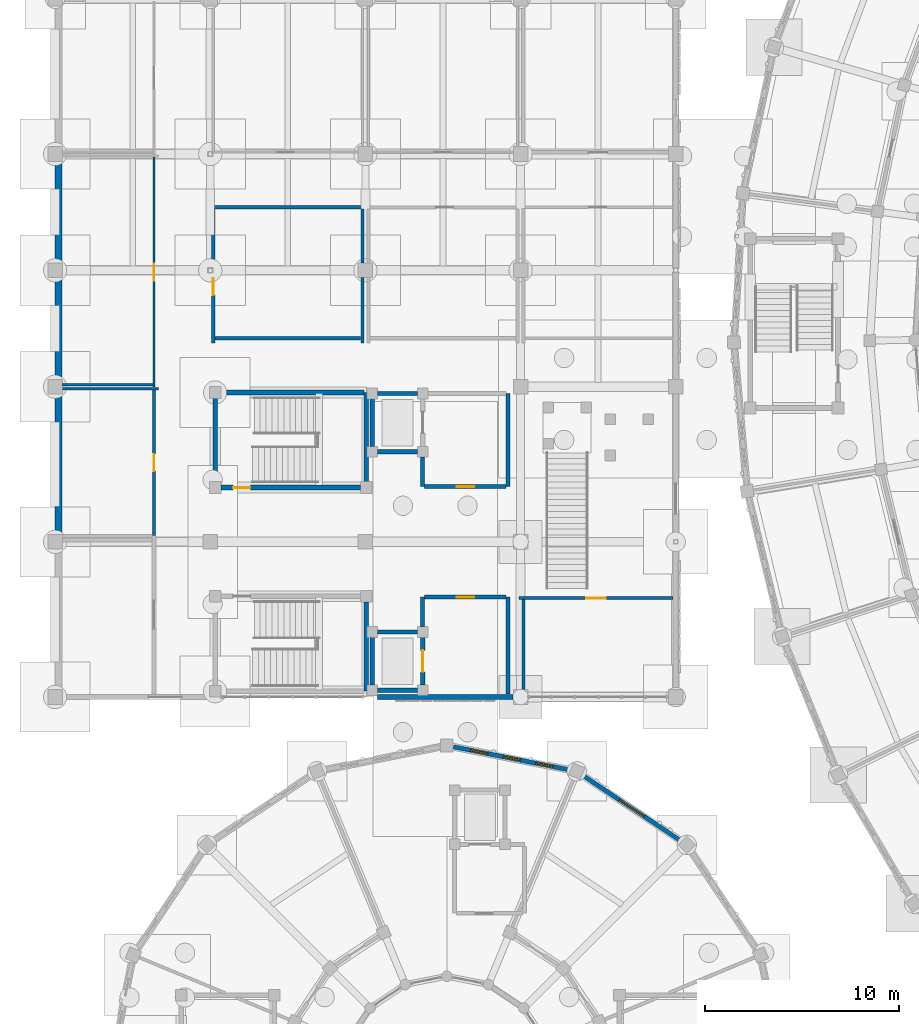
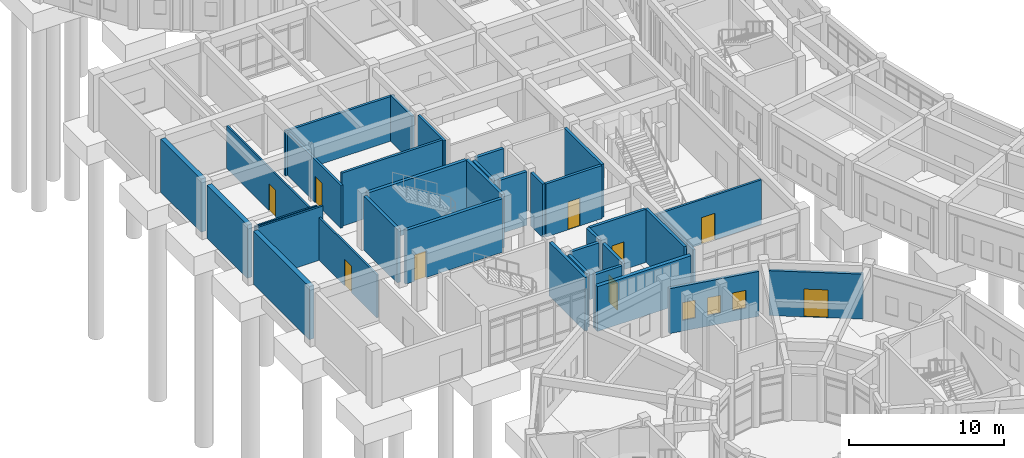
# One storey, part 119 of 153: 35 walls, 9 doors, 3 windows, 12 openings.
"""IFC4 building model written with IfcOpenShell, lengths in metres."""

from ifc_helpers import new_model, si_unit, direction, frame, frame_2d, origin, place, context, subcontext, project, spatial, rectangle, extrude, material, layer, layer_set, type_object, element, fill, save


model = new_model("IFC4")

# Units and contexts
model_context = context("Model", 3, precision=1e-05, world=origin(), true_north=direction((0.0, 1.0)))
body_context = subcontext(model_context, "Body", "Model", "MODEL_VIEW")
ifc_project = project(units=[si_unit("LENGTHUNIT", "METRE"), si_unit("AREAUNIT", "SQUARE_METRE"), si_unit("VOLUMEUNIT", "CUBIC_METRE"), si_unit("PLANEANGLEUNIT", "RADIAN"), si_unit("MASSUNIT", "GRAM", prefix="KILO")], contexts=[model_context])

# Site, building, storey
site_placement = place(None, origin())
site = spatial("IfcSite", under=ifc_project, at=site_placement, CompositionType="ELEMENT")
building_placement = place(site_placement, origin())
building = spatial("IfcBuilding", under=site, at=building_placement, Name="Celadon Cloister-Ring School", CompositionType="ELEMENT")
storey_placement = place(building_placement, origin())
storey = spatial("IfcBuildingStorey", under=building, at=storey_placement, Name="L00", CompositionType="ELEMENT", Elevation=0.0)

# Wall
ifc_material_1 = material(Name="Rendered concrete blockwork", Category="masonry")
ifc_layer_1 = layer(ifc_material_1, 0.280029296875)
ifc_layer_set_1 = layer_set([ifc_layer_1], Name="Rendered concrete blockwork")
wall_type_1 = type_object("IfcWallType", Name="WT-EX1", PredefinedType="SOLIDWALL", material=ifc_layer_set_1)
wall_1_placement = place(storey_placement, frame((23.623046875, 40.0, 0.0), z_axis=(0.0, 0.0, 1.0), x_axis=(-1.0, 0.0, 0.0)))
element("IfcWall", 1, at=wall_1_placement, inside=storey, type_object=wall_type_1, Name="Exterior Wall 0494", PredefinedType="SOLIDWALL", context=body_context, shape_type="SweptSolid", body=[
    extrude(rectangle(XDim=6.99609375, YDim=0.280029296875, at=frame_2d((3.498046875, 0.0))), origin(), (0.0, 0.0, 1.0), 3.550048828125),
])

# Wall, opening, door
ifc_material_2 = material(Name="Perforated terracotta clay brick masonry", Category="masonry")
ifc_layer_2 = layer(ifc_material_2, 0.219970703125)
ifc_layer_set_2 = layer_set([ifc_layer_2], Name="Perforated terracotta clay brick masonry")
wall_type_2 = type_object("IfcWallType", Name="WT-EX4", PredefinedType="SOLIDWALL", material=ifc_layer_set_2)
wall_2_placement = place(storey_placement, frame((27.19189453125, 35.970947265625, 0.0), z_axis=(0.0, 0.0, 1.0), x_axis=(0.831411331728, -0.555657446161, 0.0)))
wall_2 = element("IfcWall", 2, at=wall_2_placement, inside=storey, type_object=wall_type_2, Name="Exterior Wall 0293", PredefinedType="SOLIDWALL", context=body_context, shape_type="SweptSolid", body=[
    extrude(rectangle(XDim=6.11865234375, YDim=0.219970703125, at=frame_2d((3.059326171875, 0.0))), origin(), (0.0, 0.0, 1.0), 3.550048828125),
])
opening_1_placement = place(wall_2_placement, frame((2.283935546875, 0.0, 0.0)))
opening_1 = element("IfcOpeningElement", 3, at=opening_1_placement, cuts=wall_2, Name="Opening D-0013", PredefinedType="OPENING", context=body_context, shape_type="SweptSolid", body=[
    extrude(rectangle(XDim=1.550048828125, YDim=2.199951171875, at=frame_2d((0.77490234375, 1.10009765625))), frame((0.0, 0.1201171875, 0.0), z_axis=(0.0, -1.0, 0.0), x_axis=(1.0, 0.0, 0.0)), (0.0, 0.0, 1.0), 0.239990234375),
])
ifc_material_3 = material(Name="Aluminium EN AW-6063 T6", Category="aluminium")
door_type_1 = type_object("IfcDoorType", Name="DE-08", OperationType="NOTDEFINED", PredefinedType="DOOR", material=ifc_material_3)
door_1_placement = place(opening_1_placement, origin())
door_1 = element("IfcDoor", 4, at=door_1_placement, inside=storey, type_object=door_type_1, Name="Exterior Door D-0013", OperationType="SINGLE_SWING_LEFT", OverallHeight=2.199951171875, OverallWidth=1.550048828125, PredefinedType="DOOR", context=body_context, shape_type="SweptSolid", body=[
    extrude(rectangle(XDim=1.550048828125, YDim=2.199951171875, at=frame_2d((0.77490234375, 1.10009765625))), frame((0.0, 0.02490234375, 0.0), z_axis=(0.0, -1.0, 0.0), x_axis=(1.0, 0.0, 0.0)), (0.0, 0.0, 1.0), 0.050048828125),
])
fill(opening_1, door_1)

# Wall, openings, windows
wall_3_placement = place(storey_placement, frame((20.548095703125, 37.430908203125, 0.0), z_axis=(0.0, 0.0, 1.0), x_axis=(0.98077967596, -0.19511849534, 0.0)))
wall_3 = element("IfcWall", 5, at=wall_3_placement, inside=storey, type_object=wall_type_2, Name="Exterior Wall 0295", PredefinedType="SOLIDWALL", context=body_context, shape_type="SweptSolid", body=[
    extrude(rectangle(XDim=6.11865234375, YDim=0.219970703125, at=frame_2d((3.059326171875, 0.0))), origin(), (0.0, 0.0, 1.0), 3.550048828125),
])
opening_2_placement = place(wall_3_placement, frame((0.89599609375, 0.0, 0.85009765625)))
opening_2 = element("IfcOpeningElement", 6, at=opening_2_placement, cuts=wall_3, Name="Opening WN-21", PredefinedType="OPENING", context=body_context, shape_type="SweptSolid", body=[
    extrude(rectangle(XDim=0.89990234375, YDim=1.39990234375, at=frame_2d((0.449951171875, 0.699951171875))), frame((0.0, 0.1201171875, 0.0), z_axis=(0.0, -1.0, 0.0), x_axis=(1.0, 0.0, 0.0)), (0.0, 0.0, 1.0), 0.239990234375),
])
opening_3_placement = place(wall_3_placement, frame((2.60888671875, 0.0, 0.85009765625)))
opening_3 = element("IfcOpeningElement", 7, at=opening_3_placement, cuts=wall_3, Name="Opening WN-21", PredefinedType="OPENING", context=body_context, shape_type="SweptSolid", body=[
    extrude(rectangle(XDim=0.89990234375, YDim=1.39990234375, at=frame_2d((0.449951171875, 0.699951171875))), frame((0.0, 0.1201171875, 0.0), z_axis=(0.0, -1.0, 0.0), x_axis=(1.0, 0.0, 0.0)), (0.0, 0.0, 1.0), 0.239990234375),
])
opening_4_placement = place(wall_3_placement, frame((4.322998046875, 0.0, 0.85009765625)))
opening_4 = element("IfcOpeningElement", 8, at=opening_4_placement, cuts=wall_3, Name="Opening WN-21", PredefinedType="OPENING", context=body_context, shape_type="SweptSolid", body=[
    extrude(rectangle(XDim=0.89990234375, YDim=1.39990234375, at=frame_2d((0.449951171875, 0.699951171875))), frame((0.0, 0.1201171875, 0.0), z_axis=(0.0, -1.0, 0.0), x_axis=(1.0, 0.0, 0.0)), (0.0, 0.0, 1.0), 0.239990234375),
])
ifc_material_4 = material(Name="Tempered laminated insulating glass", Category="glass")
window_type = type_object("IfcWindowType", Name="WN-21", PartitioningType="SINGLE_PANEL", PredefinedType="WINDOW", material=ifc_material_4)
window_1_placement = place(opening_2_placement, origin())
window_1 = element("IfcWindow", 9, at=window_1_placement, inside=storey, type_object=window_type, Name="Window 0768", OverallHeight=1.39990234375, OverallWidth=0.89990234375, PartitioningType="SINGLE_PANEL", PredefinedType="WINDOW", context=body_context, shape_type="SweptSolid", body=[
    extrude(rectangle(XDim=0.89990234375, YDim=1.39990234375, at=frame_2d((0.449951171875, 0.699951171875))), frame((0.0, 0.030029296875, 0.0), z_axis=(0.0, -1.0, 0.0), x_axis=(1.0, 0.0, 0.0)), (0.0, 0.0, 1.0), 0.06005859375),
])
fill(opening_2, window_1)
window_2_placement = place(opening_3_placement, origin())
window_2 = element("IfcWindow", 10, at=window_2_placement, inside=storey, type_object=window_type, Name="Window 0769", OverallHeight=1.39990234375, OverallWidth=0.89990234375, PartitioningType="SINGLE_PANEL", PredefinedType="WINDOW", context=body_context, shape_type="SweptSolid", body=[
    extrude(rectangle(XDim=0.89990234375, YDim=1.39990234375, at=frame_2d((0.449951171875, 0.699951171875))), frame((0.0, 0.030029296875, 0.0), z_axis=(0.0, -1.0, 0.0), x_axis=(1.0, 0.0, 0.0)), (0.0, 0.0, 1.0), 0.06005859375),
])
fill(opening_3, window_2)
window_3_placement = place(opening_4_placement, origin())
window_3 = element("IfcWindow", 11, at=window_3_placement, inside=storey, type_object=window_type, Name="Window 0770", OverallHeight=1.39990234375, OverallWidth=0.89990234375, PartitioningType="SINGLE_PANEL", PredefinedType="WINDOW", context=body_context, shape_type="SweptSolid", body=[
    extrude(rectangle(XDim=0.89990234375, YDim=1.39990234375, at=frame_2d((0.449951171875, 0.699951171875))), frame((0.0, 0.030029296875, 0.0), z_axis=(0.0, -1.0, 0.0), x_axis=(1.0, 0.0, 0.0)), (0.0, 0.0, 1.0), 0.06005859375),
])
fill(opening_4, window_3)

# Walls
ifc_material_5 = material(Name="Concrete C40/50", Category="concrete")
ifc_layer_3 = layer(ifc_material_5, 0.35009765625)
ifc_layer_set_3 = layer_set([ifc_layer_3], Name="Concrete C40/50")
wall_type_3 = type_object("IfcWallType", Name="WT-FW2", PredefinedType="SHEAR", material=ifc_layer_set_3)
wall_4_placement = place(storey_placement, frame((0.175048828125, 48.376953125, 0.0), z_axis=(0.0, 0.0, 1.0), x_axis=(0.0, 1.0, 0.0)))
element("IfcWall", 12, at=wall_4_placement, inside=storey, type_object=wall_type_3, Name="Exterior Wall 0497", PredefinedType="SHEAR", context=body_context, shape_type="SweptSolid", body=[
    extrude(rectangle(XDim=7.24609375, YDim=0.35009765625, at=frame_2d((3.623046875, 0.0))), origin(), (0.0, 0.0, 1.0), 4.199951171875),
])
for number, where, z_axis, x_axis, name in (
    (13, (0.175048828125, 56.376953125, 0.0), (0.0, 0.0, 1.0), (0.0, 1.0, 0.0), "Exterior Wall 0498"),
    (14, (0.175048828125, 62.376953125, 0.0), (0.0, 0.0, 1.0), (0.0, 1.0, 0.0), "Exterior Wall 0499"),
):
    element("IfcWall", number, at=place(storey_placement, frame(where, z_axis=z_axis, x_axis=x_axis)), inside=storey, type_object=wall_type_3, Name=name, PredefinedType="SHEAR", context=body_context, shape_type="SweptSolid", body=[
        extrude(rectangle(XDim=5.24609375, YDim=0.35009765625, at=frame_2d((2.623046875, 0.0))), origin(), (0.0, 0.0, 1.0), 4.199951171875),
    ])
ifc_material_6 = material(Name="Plastered hollow concrete masonry", Category="masonry")
ifc_layer_4 = layer(ifc_material_6, 0.199951171875)
ifc_layer_set_4 = layer_set([ifc_layer_4], Name="Plastered hollow concrete masonry")
wall_type_4 = type_object("IfcWallType", Name="WT-PT1", PredefinedType="PARTITIONING", material=ifc_layer_set_4)
wall_5_placement = place(storey_placement, frame((18.949951171875, 43.616943359375, 0.0), z_axis=(0.0, 0.0, 1.0), x_axis=(0.0, 1.0, 0.0)))
element("IfcWall", 15, at=wall_5_placement, inside=storey, type_object=wall_type_4, Name="Interior Wall 0213", PredefinedType="PARTITIONING", context=body_context, shape_type="SweptSolid", body=[
    extrude(rectangle(XDim=1.532958984375, YDim=0.199951171875, at=frame_2d((0.7666015625, 0.0))), origin(), (0.0, 0.0, 1.0), 4.199951171875),
])
wall_6_placement = place(storey_placement, frame((23.35009765625, 40.14306640625, 0.0), z_axis=(0.0, 0.0, 1.0), x_axis=(0.0, 1.0, 0.0)))
element("IfcWall", 16, at=wall_6_placement, inside=storey, type_object=wall_type_4, Name="Interior Wall 0214", PredefinedType="PARTITIONING", context=body_context, shape_type="SweptSolid", body=[
    extrude(rectangle(XDim=5.0068359375, YDim=0.199951171875, at=frame_2d((2.50341796875, 0.0))), origin(), (0.0, 0.0, 1.0), 4.199951171875),
])

# Wall, opening, door
wall_7_placement = place(storey_placement, frame((19.052978515625, 45.14990234375, 0.0), z_axis=(0.0, 0.0, 1.0), x_axis=(1.0, 0.0, 0.0)))
wall_7 = element("IfcWall", 17, at=wall_7_placement, inside=storey, type_object=wall_type_4, Name="Interior Wall 0215", PredefinedType="PARTITIONING", context=body_context, shape_type="SweptSolid", body=[
    extrude(rectangle(XDim=4.194091796875, YDim=0.199951171875, at=frame_2d((2.09716796875, 0.0))), origin(), (0.0, 0.0, 1.0), 4.199951171875),
])
opening_5_placement = place(wall_7_placement, frame((1.64697265625, 0.0, 0.0)))
opening_5 = element("IfcOpeningElement", 18, at=opening_5_placement, cuts=wall_7, Name="Opening D-0085", PredefinedType="OPENING", context=body_context, shape_type="SweptSolid", body=[
    extrude(rectangle(XDim=0.89990234375, YDim=2.199951171875, at=frame_2d((0.449951171875, 1.10009765625))), frame((0.0, 0.10986328125, 0.0), z_axis=(0.0, -1.0, 0.0), x_axis=(1.0, 0.0, 0.0)), (0.0, 0.0, 1.0), 0.219970703125),
])
ifc_material_7 = material(Name="Solid-core fire-rated hardwood leaf", Category="wood")
door_type_2 = type_object("IfcDoorType", Name="DT-06", OperationType="NOTDEFINED", PredefinedType="DOOR", material=ifc_material_7)
door_2_placement = place(opening_5_placement, origin())
door_2 = element("IfcDoor", 19, at=door_2_placement, inside=storey, type_object=door_type_2, Name="Door D-0085", OperationType="SINGLE_SWING_LEFT", OverallHeight=2.199951171875, OverallWidth=0.89990234375, PredefinedType="DOOR", context=body_context, shape_type="SweptSolid", body=[
    extrude(rectangle(XDim=0.89990234375, YDim=2.199951171875, at=frame_2d((0.449951171875, 1.10009765625))), frame((0.0, 0.02490234375, 0.0), z_axis=(0.0, -1.0, 0.0), x_axis=(1.0, 0.0, 0.0)), (0.0, 0.0, 1.0), 0.050048828125),
])
fill(opening_5, door_2)

# Walls
wall_8_placement = place(storey_placement, frame((18.949951171875, 50.85009765625, 0.0), z_axis=(0.0, 0.0, 1.0), x_axis=(0.0, 1.0, 0.0)))
element("IfcWall", 20, at=wall_8_placement, inside=storey, type_object=wall_type_4, Name="Interior Wall 0255", PredefinedType="PARTITIONING", context=body_context, shape_type="SweptSolid", body=[
    extrude(rectangle(XDim=1.532958984375, YDim=0.199951171875, at=frame_2d((0.7666015625, 0.0))), origin(), (0.0, 0.0, 1.0), 4.199951171875),
])
wall_9_placement = place(storey_placement, frame((23.35009765625, 50.85009765625, 0.0), z_axis=(0.0, 0.0, 1.0), x_axis=(0.0, 1.0, 0.0)))
element("IfcWall", 21, at=wall_9_placement, inside=storey, type_object=wall_type_4, Name="Interior Wall 0256", PredefinedType="PARTITIONING", context=body_context, shape_type="SweptSolid", body=[
    extrude(rectangle(XDim=4.7998046875, YDim=0.199951171875, at=frame_2d((2.39990234375, 0.0))), origin(), (0.0, 0.0, 1.0), 4.199951171875),
])

# Wall, opening, door
wall_10_placement = place(storey_placement, frame((19.052978515625, 50.85009765625, 0.0), z_axis=(0.0, 0.0, 1.0), x_axis=(1.0, 0.0, 0.0)))
wall_10 = element("IfcWall", 22, at=wall_10_placement, inside=storey, type_object=wall_type_4, Name="Interior Wall 0258", PredefinedType="PARTITIONING", context=body_context, shape_type="SweptSolid", body=[
    extrude(rectangle(XDim=4.194091796875, YDim=0.199951171875, at=frame_2d((2.09716796875, 0.0))), origin(), (0.0, 0.0, 1.0), 4.199951171875),
])
opening_6_placement = place(wall_10_placement, frame((1.64697265625, 0.0, 0.0)))
opening_6 = element("IfcOpeningElement", 23, at=opening_6_placement, cuts=wall_10, Name="Opening D-0091", PredefinedType="OPENING", context=body_context, shape_type="SweptSolid", body=[
    extrude(rectangle(XDim=0.89990234375, YDim=2.199951171875, at=frame_2d((0.449951171875, 1.10009765625))), frame((0.0, 0.10986328125, 0.0), z_axis=(0.0, -1.0, 0.0), x_axis=(1.0, 0.0, 0.0)), (0.0, 0.0, 1.0), 0.219970703125),
])
door_3_placement = place(opening_6_placement, origin())
door_3 = element("IfcDoor", 24, at=door_3_placement, inside=storey, type_object=door_type_2, Name="Door D-0091", OperationType="SINGLE_SWING_LEFT", OverallHeight=2.199951171875, OverallWidth=0.89990234375, PredefinedType="DOOR", context=body_context, shape_type="SweptSolid", body=[
    extrude(rectangle(XDim=0.89990234375, YDim=2.199951171875, at=frame_2d((0.449951171875, 1.10009765625))), frame((0.0, 0.02490234375, 0.0), z_axis=(0.0, -1.0, 0.0), x_axis=(1.0, 0.0, 0.0)), (0.0, 0.0, 1.0), 0.050048828125),
])
fill(opening_6, door_3)

# Walls
ifc_material_8 = material(Name="Plastered hollow concrete masonry", Category="masonry")
ifc_layer_5 = layer(ifc_material_8, 0.179931640625)
ifc_layer_set_5 = layer_set([ifc_layer_5], Name="Plastered hollow concrete masonry")
wall_type_5 = type_object("IfcWallType", Name="WT-PT2", PredefinedType="PARTITIONING", material=ifc_layer_set_5)
wall_11_placement = place(storey_placement, frame((7.909912109375, 65.25, 0.0), z_axis=(0.0, 0.0, 1.0), x_axis=(1.0, 0.0, 0.0)))
element("IfcWall", 25, at=wall_11_placement, inside=storey, type_object=wall_type_5, Name="Interior Wall 0921", PredefinedType="PARTITIONING", context=body_context, shape_type="SweptSolid", body=[
    extrude(rectangle(XDim=8.18017578125, YDim=0.179931640625, at=frame_2d((4.090087890625, 0.0))), origin(), (0.0, 0.0, 1.0), 3.531982421875),
])
wall_12_placement = place(storey_placement, frame((15.85009765625, 65.156982421875, 0.0), z_axis=(0.0, 0.0, 1.0), x_axis=(0.0, -1.0, 0.0)))
element("IfcWall", 26, at=wall_12_placement, inside=storey, type_object=wall_type_5, Name="Interior Wall 0922", PredefinedType="PARTITIONING", context=body_context, shape_type="SweptSolid", body=[
    extrude(rectangle(XDim=2.7900390625, YDim=0.179931640625, at=frame_2d((1.39501953125, 0.0))), origin(), (0.0, 0.0, 1.0), 3.632080078125),
])
wall_13_placement = place(storey_placement, frame((15.85009765625, 61.633056640625, 0.0), z_axis=(0.0, 0.0, 1.0), x_axis=(0.0, -1.0, 0.0)))
element("IfcWall", 27, at=wall_13_placement, inside=storey, type_object=wall_type_5, Name="Interior Wall 0923", PredefinedType="PARTITIONING", context=body_context, shape_type="SweptSolid", body=[
    extrude(rectangle(XDim=3.373046875, YDim=0.179931640625, at=frame_2d((1.6865234375, 0.0))), origin(), (0.0, 0.0, 1.0), 4.199951171875),
])

# Wall, opening, door
wall_14_placement = place(storey_placement, frame((8.14990234375, 58.260009765625, 0.0), z_axis=(0.0, 0.0, 1.0), x_axis=(0.0, 1.0, 0.0)))
wall_14 = element("IfcWall", 28, at=wall_14_placement, inside=storey, type_object=wall_type_5, Name="Interior Wall 0924", PredefinedType="PARTITIONING", context=body_context, shape_type="SweptSolid", body=[
    extrude(rectangle(XDim=6.89697265625, YDim=0.179931640625, at=frame_2d((3.448486328125, 0.0))), origin(), (0.0, 0.0, 1.0), 3.382080078125),
])
opening_7_placement = place(wall_14_placement, frame((2.45703125, 0.0, 0.0)))
opening_7 = element("IfcOpeningElement", 29, at=opening_7_placement, cuts=wall_14, Name="Opening D-0336", PredefinedType="OPENING", context=body_context, shape_type="SweptSolid", body=[
    extrude(rectangle(XDim=0.8798828125, YDim=2.10009765625, at=frame_2d((0.43994140625, 1.050048828125))), frame((0.0, 0.10009765625, 0.0), z_axis=(0.0, -1.0, 0.0), x_axis=(1.0, 0.0, 0.0)), (0.0, 0.0, 1.0), 0.199951171875),
])
ifc_material_9 = material(Name="Solid-core fire-rated hardwood leaf", Category="wood")
door_type_3 = type_object("IfcDoorType", Name="DT-01", OperationType="NOTDEFINED", PredefinedType="DOOR", material=ifc_material_9)
door_4_placement = place(opening_7_placement, origin())
door_4 = element("IfcDoor", 30, at=door_4_placement, inside=storey, type_object=door_type_3, Name="Door D-0336", OperationType="SINGLE_SWING_RIGHT", OverallHeight=2.10009765625, OverallWidth=0.8798828125, PredefinedType="DOOR", context=body_context, shape_type="SweptSolid", body=[
    extrude(rectangle(XDim=0.8798828125, YDim=2.10009765625, at=frame_2d((0.43994140625, 1.050048828125))), frame((0.0, 0.02490234375, 0.0), z_axis=(0.0, -1.0, 0.0), x_axis=(1.0, 0.0, 0.0)), (0.0, 0.0, 1.0), 0.050048828125),
])
fill(opening_7, door_4)

# Wall
wall_15_placement = place(storey_placement, frame((15.757080078125, 58.5, 0.0), z_axis=(0.0, 0.0, 1.0), x_axis=(-1.0, 0.0, 0.0)))
element("IfcWall", 31, at=wall_15_placement, inside=storey, type_object=wall_type_5, Name="Interior Wall 0925", PredefinedType="PARTITIONING", context=body_context, shape_type="SweptSolid", body=[
    extrude(rectangle(XDim=7.51416015625, YDim=0.179931640625, at=frame_2d((3.757080078125, 0.0))), origin(), (0.0, 0.0, 1.0), 4.199951171875),
])

# Wall, opening, door
ifc_material_10 = material(Name="Plastered hollow concrete masonry", Category="masonry")
ifc_layer_6 = layer(ifc_material_10, 0.159912109375)
ifc_layer_set_6 = layer_set([ifc_layer_6], Name="Plastered hollow concrete masonry")
wall_type_6 = type_object("IfcWallType", Name="WT-PT3", PredefinedType="PARTITIONING", material=ifc_layer_set_6)
wall_16_placement = place(storey_placement, frame((23.909912109375, 45.10009765625, 0.0), z_axis=(0.0, 0.0, 1.0), x_axis=(1.0, 0.0, 0.0)))
wall_16 = element("IfcWall", 32, at=wall_16_placement, inside=storey, type_object=wall_type_6, Name="Interior Wall 0944", PredefinedType="PARTITIONING", context=body_context, shape_type="SweptSolid", body=[
    extrude(rectangle(XDim=7.947021484375, YDim=0.159912109375, at=frame_2d((3.9736328125, 0.0))), origin(), (0.0, 0.0, 1.0), 3.531982421875),
])
opening_8_placement = place(wall_16_placement, frame((3.472900390625, 0.0, 0.0)))
opening_8 = element("IfcOpeningElement", 33, at=opening_8_placement, cuts=wall_16, Name="Opening D-0342", PredefinedType="OPENING", context=body_context, shape_type="SweptSolid", body=[
    extrude(rectangle(XDim=1.0, YDim=2.10009765625, at=frame_2d((0.5, 1.050048828125))), frame((0.0, 0.08984375, 0.0), z_axis=(0.0, -1.0, 0.0), x_axis=(1.0, 0.0, 0.0)), (0.0, 0.0, 1.0), 0.179931640625),
])
ifc_material_11 = material(Name="Solid-core fire-rated hardwood leaf", Category="wood")
door_type_4 = type_object("IfcDoorType", Name="DT-04", OperationType="NOTDEFINED", PredefinedType="DOOR", material=ifc_material_11)
door_5_placement = place(opening_8_placement, origin())
door_5 = element("IfcDoor", 34, at=door_5_placement, inside=storey, type_object=door_type_4, Name="Door D-0342", OperationType="SINGLE_SWING_RIGHT", OverallHeight=2.10009765625, OverallWidth=1.0, PredefinedType="DOOR", context=body_context, shape_type="SweptSolid", body=[
    extrude(rectangle(XDim=1.0, YDim=2.10009765625, at=frame_2d((0.5, 1.050048828125))), frame((0.0, 0.02490234375, 0.0), z_axis=(0.0, -1.0, 0.0), x_axis=(1.0, 0.0, 0.0)), (0.0, 0.0, 1.0), 0.050048828125),
])
fill(opening_8, door_5)

# Walls
wall_17_placement = place(storey_placement, frame((24.14990234375, 40.366943359375, 0.0), z_axis=(0.0, 0.0, 1.0), x_axis=(0.0, 1.0, 0.0)))
element("IfcWall", 35, at=wall_17_placement, inside=storey, type_object=wall_type_6, Name="Interior Wall 0945", PredefinedType="PARTITIONING", context=body_context, shape_type="SweptSolid", body=[
    extrude(rectangle(XDim=4.650146484375, YDim=0.159912109375, at=frame_2d((2.3251953125, 0.0))), origin(), (0.0, 0.0, 1.0), 3.531982421875),
])
ifc_material_12 = material(Name="Acoustic mineral-wool drywall partition")
ifc_layer_7 = layer(ifc_material_12, 0.139892578125)
ifc_layer_set_7 = layer_set([ifc_layer_7], Name="Acoustic mineral-wool drywall partition")
wall_type_7 = type_object("IfcWallType", Name="WT-PT4", PredefinedType="PARTITIONING", material=ifc_layer_set_7)
wall_18_placement = place(storey_placement, frame((0.366943359375, 55.89990234375, 0.0), z_axis=(0.0, 0.0, 1.0), x_axis=(1.0, 0.0, 0.0)))
element("IfcWall", 36, at=wall_18_placement, inside=storey, type_object=wall_type_7, Name="Interior Wall 0913", PredefinedType="PARTITIONING", context=body_context, shape_type="SweptSolid", body=[
    extrude(rectangle(XDim=4.97314453125, YDim=0.139892578125, at=frame_2d((2.486572265625, 0.0))), origin(), (0.0, 0.0, 1.0), 4.199951171875),
])

# Wall, opening, door
wall_19_placement = place(storey_placement, frame((5.10009765625, 55.826904296875, 0.0), z_axis=(0.0, 0.0, 1.0), x_axis=(0.0, -1.0, 0.0)))
wall_19 = element("IfcWall", 37, at=wall_19_placement, inside=storey, type_object=wall_type_7, Name="Interior Wall 0914", PredefinedType="PARTITIONING", context=body_context, shape_type="SweptSolid", body=[
    extrude(rectangle(XDim=7.48681640625, YDim=0.139892578125, at=frame_2d((3.743408203125, 0.0))), origin(), (0.0, 0.0, 1.0), 3.382080078125),
])
opening_9_placement = place(wall_19_placement, frame((3.302978515625, 0.0, 0.0)))
opening_9 = element("IfcOpeningElement", 38, at=opening_9_placement, cuts=wall_19, Name="Opening D-0333", PredefinedType="OPENING", context=body_context, shape_type="SweptSolid", body=[
    extrude(rectangle(XDim=0.8798828125, YDim=2.10009765625, at=frame_2d((0.43994140625, 1.050048828125))), frame((0.0, 0.080078125, 0.0), z_axis=(0.0, -1.0, 0.0), x_axis=(1.0, 0.0, 0.0)), (0.0, 0.0, 1.0), 0.159912109375),
])
door_6_placement = place(opening_9_placement, origin())
door_6 = element("IfcDoor", 39, at=door_6_placement, inside=storey, type_object=door_type_3, Name="Door D-0333", OperationType="SINGLE_SWING_LEFT", OverallHeight=2.10009765625, OverallWidth=0.8798828125, PredefinedType="DOOR", context=body_context, shape_type="SweptSolid", body=[
    extrude(rectangle(XDim=0.8798828125, YDim=2.10009765625, at=frame_2d((0.43994140625, 1.050048828125))), frame((0.0, 0.02490234375, 0.0), z_axis=(0.0, -1.0, 0.0), x_axis=(1.0, 0.0, 0.0)), (0.0, 0.0, 1.0), 0.050048828125),
])
fill(opening_9, door_6)

ifc_material_13 = material(Name="Acoustic mineral-wool drywall partition")
ifc_layer_8 = layer(ifc_material_13, 0.1201171875)
ifc_layer_set_8 = layer_set([ifc_layer_8], Name="Acoustic mineral-wool drywall partition")
wall_type_8 = type_object("IfcWallType", Name="WT-PT5", PredefinedType="PARTITIONING", material=ifc_layer_set_8)
wall_20_placement = place(storey_placement, frame((5.10009765625, 67.8369140625, 0.0), z_axis=(0.0, 0.0, 1.0), x_axis=(0.0, -1.0, 0.0)))
wall_20 = element("IfcWall", 40, at=wall_20_placement, inside=storey, type_object=wall_type_8, Name="Interior Wall 0917", PredefinedType="PARTITIONING", context=body_context, shape_type="SweptSolid", body=[
    extrude(rectangle(XDim=11.864013671875, YDim=0.1201171875, at=frame_2d((5.93212890625, 0.0))), origin(), (0.0, 0.0, 1.0), 3.382080078125),
])
opening_10_placement = place(wall_20_placement, frame((5.491943359375, 0.0, 0.0)))
opening_10 = element("IfcOpeningElement", 41, at=opening_10_placement, cuts=wall_20, Name="Opening D-0334", PredefinedType="OPENING", context=body_context, shape_type="SweptSolid", body=[
    extrude(rectangle(XDim=0.8798828125, YDim=2.10009765625, at=frame_2d((0.43994140625, 1.050048828125))), frame((0.0, 0.070068359375, 0.0), z_axis=(0.0, -1.0, 0.0), x_axis=(1.0, 0.0, 0.0)), (0.0, 0.0, 1.0), 0.14013671875),
])
door_7_placement = place(opening_10_placement, origin())
door_7 = element("IfcDoor", 42, at=door_7_placement, inside=storey, type_object=door_type_3, Name="Door D-0334", OperationType="SINGLE_SWING_RIGHT", OverallHeight=2.10009765625, OverallWidth=0.8798828125, PredefinedType="DOOR", context=body_context, shape_type="SweptSolid", body=[
    extrude(rectangle(XDim=0.8798828125, YDim=2.10009765625, at=frame_2d((0.43994140625, 1.050048828125))), frame((0.0, 0.02490234375, 0.0), z_axis=(0.0, -1.0, 0.0), x_axis=(1.0, 0.0, 0.0)), (0.0, 0.0, 1.0), 0.050048828125),
])
fill(opening_10, door_7)

# Walls
wall_21_placement = place(storey_placement, frame((5.037109375, 56.10009765625, 0.0), z_axis=(0.0, 0.0, 1.0), x_axis=(-1.0, 0.0, 0.0)))
element("IfcWall", 43, at=wall_21_placement, inside=storey, type_object=wall_type_8, Name="Interior Wall 0918", PredefinedType="PARTITIONING", context=body_context, shape_type="SweptSolid", body=[
    extrude(rectangle(XDim=4.670166015625, YDim=0.1201171875, at=frame_2d((2.3349609375, 0.0))), origin(), (0.0, 0.0, 1.0), 4.199951171875),
])
ifc_material_14 = material(Name="Concrete C40/50", Category="concrete")
ifc_layer_9 = layer(ifc_material_14, 0.239990234375)
ifc_layer_set_9 = layer_set([ifc_layer_9], Name="Concrete C40/50")
wall_type_9 = type_object("IfcWallType", Name="WT-SH1", PredefinedType="SHEAR", material=ifc_layer_set_9)
wall_22_placement = place(storey_placement, frame((16.050048828125, 44.907958984375, 0.0), z_axis=(0.0, 0.0, 1.0), x_axis=(0.0, -1.0, 0.0)))
element("IfcWall", 44, at=wall_22_placement, inside=storey, type_object=wall_type_9, Name="Interior Wall 0002", PredefinedType="SHEAR", context=body_context, shape_type="SweptSolid", body=[
    extrude(rectangle(XDim=4.60791015625, YDim=0.239990234375, at=frame_2d((2.303955078125, 0.0))), origin(), (0.0, 0.0, 1.0), 4.239990234375),
])
wall_23_placement = place(storey_placement, frame((8.25, 51.092041015625, 0.0), z_axis=(0.0, 0.0, 1.0), x_axis=(0.0, 1.0, 0.0)))
element("IfcWall", 45, at=wall_23_placement, inside=storey, type_object=wall_type_9, Name="Interior Wall 0025", PredefinedType="SHEAR", context=body_context, shape_type="SweptSolid", body=[
    extrude(rectangle(XDim=4.31591796875, YDim=0.239990234375, at=frame_2d((2.157958984375, 0.0))), origin(), (0.0, 0.0, 1.0), 4.239990234375),
])
wall_24_placement = place(storey_placement, frame((16.050048828125, 55.699951171875, 0.0), z_axis=(0.0, 0.0, 1.0), x_axis=(0.0, -1.0, 0.0)))
element("IfcWall", 46, at=wall_24_placement, inside=storey, type_object=wall_type_9, Name="Interior Wall 0026", PredefinedType="SHEAR", context=body_context, shape_type="SweptSolid", body=[
    extrude(rectangle(XDim=4.60791015625, YDim=0.239990234375, at=frame_2d((2.303955078125, 0.0))), origin(), (0.0, 0.0, 1.0), 4.239990234375),
])

# Wall, opening, door
wall_25_placement = place(storey_placement, frame((15.758056640625, 50.800048828125, 0.0), z_axis=(0.0, 0.0, 1.0), x_axis=(-1.0, 0.0, 0.0)))
wall_25 = element("IfcWall", 47, at=wall_25_placement, inside=storey, type_object=wall_type_9, Name="Interior Wall 0027", PredefinedType="SHEAR", context=body_context, shape_type="SweptSolid", body=[
    extrude(rectangle(XDim=7.216064453125, YDim=0.239990234375, at=frame_2d((3.60791015625, 0.0))), origin(), (0.0, 0.0, 1.0), 4.239990234375),
])
opening_11_placement = place(wall_25_placement, frame((5.694091796875, 0.0, 0.0)))
opening_11 = element("IfcOpeningElement", 48, at=opening_11_placement, cuts=wall_25, Name="Opening D-0039", PredefinedType="OPENING", context=body_context, shape_type="SweptSolid", body=[
    extrude(rectangle(XDim=0.8798828125, YDim=2.10009765625, at=frame_2d((0.43994140625, 1.050048828125))), frame((0.0, 0.1298828125, 0.0), z_axis=(0.0, -1.0, 0.0), x_axis=(1.0, 0.0, 0.0)), (0.0, 0.0, 1.0), 0.260009765625),
])
door_8_placement = place(opening_11_placement, origin())
door_8 = element("IfcDoor", 49, at=door_8_placement, inside=storey, type_object=door_type_3, Name="Door D-0039", OperationType="SINGLE_SWING_LEFT", OverallHeight=2.10009765625, OverallWidth=0.8798828125, PredefinedType="DOOR", context=body_context, shape_type="SweptSolid", body=[
    extrude(rectangle(XDim=0.8798828125, YDim=2.10009765625, at=frame_2d((0.43994140625, 1.050048828125))), frame((0.0, 0.02490234375, 0.0), z_axis=(0.0, -1.0, 0.0), x_axis=(1.0, 0.0, 0.0)), (0.0, 0.0, 1.0), 0.050048828125),
])
fill(opening_11, door_8)

# Walls
wall_26_placement = place(storey_placement, frame((15.927001953125, 55.699951171875, 0.0), z_axis=(0.0, 0.0, 1.0), x_axis=(-1.0, 0.0, 0.0)))
element("IfcWall", 50, at=wall_26_placement, inside=storey, type_object=wall_type_9, Name="Interior Wall 0028", PredefinedType="SHEAR", context=body_context, shape_type="SweptSolid", body=[
    extrude(rectangle(XDim=7.385009765625, YDim=0.239990234375, at=frame_2d((3.6923828125, 0.0))), origin(), (0.0, 0.0, 1.0), 4.239990234375),
])
ifc_material_15 = material(Name="Concrete C40/50", Category="concrete")
ifc_layer_10 = layer(ifc_material_15, 0.219970703125)
ifc_layer_set_10 = layer_set([ifc_layer_10], Name="Concrete C40/50")
wall_type_10 = type_object("IfcWallType", Name="WT-SH2", PredefinedType="SHEAR", material=ifc_layer_set_10)
wall_27_placement = place(storey_placement, frame((16.616943359375, 40.35009765625, 0.0), z_axis=(0.0, 0.0, 1.0), x_axis=(1.0, 0.0, 0.0)))
element("IfcWall", 51, at=wall_27_placement, inside=storey, type_object=wall_type_10, Name="Interior Wall 0209", PredefinedType="SHEAR", context=body_context, shape_type="SweptSolid", body=[
    extrude(rectangle(XDim=2.066162109375, YDim=0.219970703125, at=frame_2d((1.033203125, 0.0))), origin(), (0.0, 0.0, 1.0), 4.239990234375),
])

# Wall, opening, door
wall_28_placement = place(storey_placement, frame((18.949951171875, 40.616943359375, 0.0), z_axis=(0.0, 0.0, 1.0), x_axis=(0.0, 1.0, 0.0)))
wall_28 = element("IfcWall", 52, at=wall_28_placement, inside=storey, type_object=wall_type_10, Name="Interior Wall 0210", PredefinedType="SHEAR", context=body_context, shape_type="SweptSolid", body=[
    extrude(rectangle(XDim=2.466064453125, YDim=0.219970703125, at=frame_2d((1.23291015625, 0.0))), origin(), (0.0, 0.0, 1.0), 4.239990234375),
])
opening_12_placement = place(wall_28_placement, frame((0.68310546875, 0.0, 0.0)))
opening_12 = element("IfcOpeningElement", 53, at=opening_12_placement, cuts=wall_28, Name="Opening LD-001", PredefinedType="OPENING", context=body_context, shape_type="SweptSolid", body=[
    extrude(rectangle(XDim=1.10009765625, YDim=2.14990234375, at=frame_2d((0.550048828125, 1.074951171875))), frame((0.0, 0.1201171875, 0.0), z_axis=(0.0, -1.0, 0.0), x_axis=(1.0, 0.0, 0.0)), (0.0, 0.0, 1.0), 0.239990234375),
])
ifc_material_16 = material(Name="Galvanised fire-rated hollow steel leaf", Category="steel")
door_type_5 = type_object("IfcDoorType", Name="DT-LD1", OperationType="DOUBLE_DOOR_SLIDING", PredefinedType="DOOR", material=ifc_material_16)
door_9_placement = place(opening_12_placement, origin())
door_9 = element("IfcDoor", 54, at=door_9_placement, inside=storey, type_object=door_type_5, Name="Door LD-001", OperationType="DOUBLE_DOOR_SLIDING", OverallHeight=2.14990234375, OverallWidth=1.10009765625, PredefinedType="DOOR", context=body_context, shape_type="SweptSolid", body=[
    extrude(rectangle(XDim=1.10009765625, YDim=2.14990234375, at=frame_2d((0.550048828125, 1.074951171875))), frame((0.0, 0.02490234375, 0.0), z_axis=(0.0, -1.0, 0.0), x_axis=(1.0, 0.0, 0.0)), (0.0, 0.0, 1.0), 0.050048828125),
])
fill(opening_12, door_9)

# Walls
wall_29_placement = place(storey_placement, frame((18.68310546875, 43.35009765625, 0.0), z_axis=(0.0, 0.0, 1.0), x_axis=(-1.0, 0.0, 0.0)))
element("IfcWall", 55, at=wall_29_placement, inside=storey, type_object=wall_type_10, Name="Interior Wall 0211", PredefinedType="SHEAR", context=body_context, shape_type="SweptSolid", body=[
    extrude(rectangle(XDim=2.066162109375, YDim=0.219970703125, at=frame_2d((1.033203125, 0.0))), origin(), (0.0, 0.0, 1.0), 4.239990234375),
])
wall_30_placement = place(storey_placement, frame((16.35009765625, 43.0830078125, 0.0), z_axis=(0.0, 0.0, 1.0), x_axis=(0.0, -1.0, 0.0)))
element("IfcWall", 56, at=wall_30_placement, inside=storey, type_object=wall_type_10, Name="Interior Wall 0212", PredefinedType="SHEAR", context=body_context, shape_type="SweptSolid", body=[
    extrude(rectangle(XDim=2.466064453125, YDim=0.219970703125, at=frame_2d((1.23291015625, 0.0))), origin(), (0.0, 0.0, 1.0), 4.239990234375),
])
for number, where, z_axis, x_axis, name in (
    (57, (16.616943359375, 52.64990234375, 0.0), (0.0, 0.0, 1.0), (1.0, 0.0, 0.0), "Interior Wall 0251"),
    (58, (18.68310546875, 55.64990234375, 0.0), (0.0, 0.0, 1.0), (-1.0, 0.0, 0.0), "Interior Wall 0253"),
):
    element("IfcWall", number, at=place(storey_placement, frame(where, z_axis=z_axis, x_axis=x_axis)), inside=storey, type_object=wall_type_10, Name=name, PredefinedType="SHEAR", context=body_context, shape_type="SweptSolid", body=[
        extrude(rectangle(XDim=2.066162109375, YDim=0.219970703125, at=frame_2d((1.033203125, 0.0))), origin(), (0.0, 0.0, 1.0), 4.239990234375),
    ])
wall_31_placement = place(storey_placement, frame((16.35009765625, 55.383056640625, 0.0), z_axis=(0.0, 0.0, 1.0), x_axis=(0.0, -1.0, 0.0)))
element("IfcWall", 59, at=wall_31_placement, inside=storey, type_object=wall_type_10, Name="Interior Wall 0254", PredefinedType="SHEAR", context=body_context, shape_type="SweptSolid", body=[
    extrude(rectangle(XDim=2.466064453125, YDim=0.219970703125, at=frame_2d((1.23291015625, 0.0))), origin(), (0.0, 0.0, 1.0), 4.239990234375),
])

save(model, "model.ifc")
